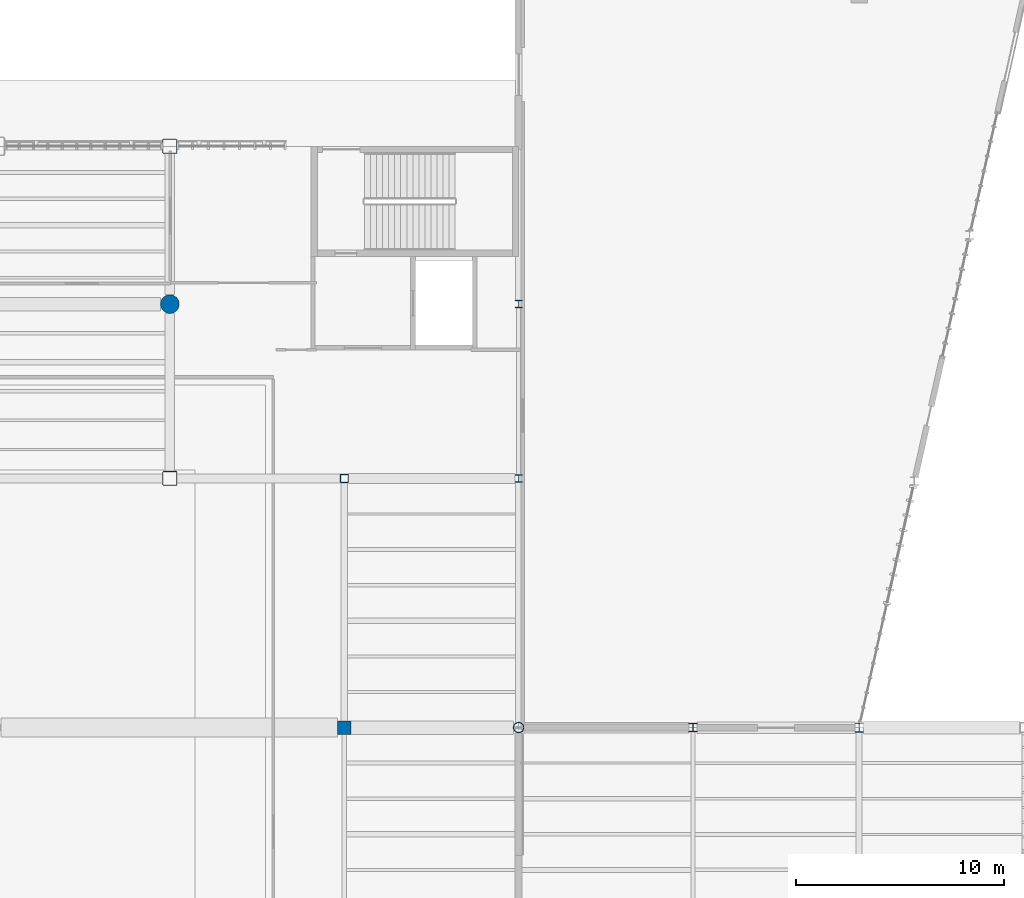
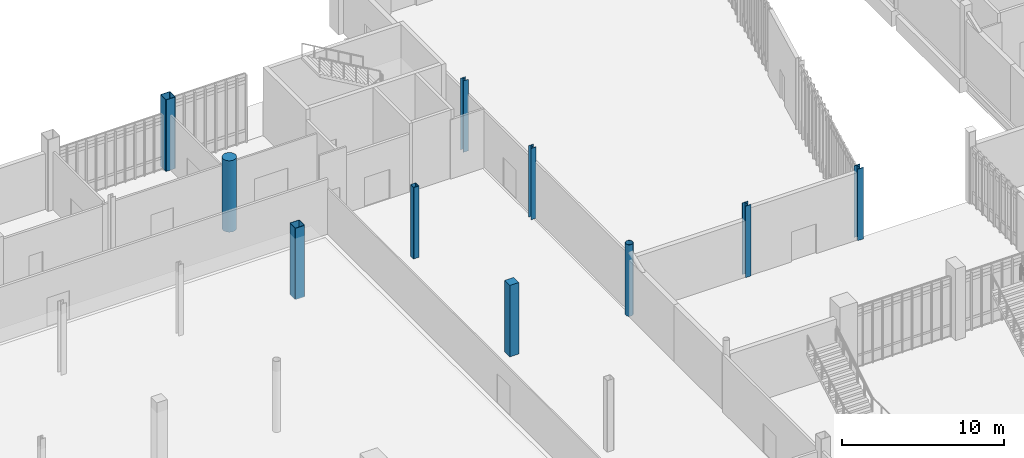
# One storey, part 9 of 111: 10 columns.
"""IFC4 building model written with IfcOpenShell, lengths in metres."""

from ifc_helpers import new_model, si_unit, direction, frame, origin, origin_2d, place, context, subcontext, project, spatial, rectangle, hollow_rectangle, circle, hollow_circle, i_section, extrude, material, material_profile, profile_set, type_object, element, save


model = new_model("IFC4")

# Units and contexts
model_context = context("Model", 3, precision=1e-05, world=origin(), true_north=direction((0.0, 1.0)))
body_context = subcontext(model_context, "Body", "Model", "MODEL_VIEW")
ifc_project = project(units=[si_unit("LENGTHUNIT", "METRE"), si_unit("AREAUNIT", "SQUARE_METRE"), si_unit("VOLUMEUNIT", "CUBIC_METRE"), si_unit("PLANEANGLEUNIT", "RADIAN"), si_unit("MASSUNIT", "GRAM", prefix="KILO")], contexts=[model_context])

# Site, building, storey
site_placement = place(None, origin())
site = spatial("IfcSite", under=ifc_project, at=site_placement, CompositionType="ELEMENT")
building_placement = place(site_placement, origin())
building = spatial("IfcBuilding", under=site, at=building_placement, Name="Larkvane Passage Sports Hall", CompositionType="ELEMENT")
storey_placement = place(building_placement, origin())
storey = spatial("IfcBuildingStorey", under=building, at=storey_placement, Name="L00", CompositionType="ELEMENT", Elevation=0.0)

# Columns
ifc_material_1 = material(Name="Concrete C50/60", Category="concrete")
ifc_material_profile_1 = material_profile(ifc_material_1, circle(Radius=0.449951171875, at=origin_2d()), Name="RC-CIR-900")
ifc_profile_set_1 = profile_set([ifc_material_profile_1], Name="Concrete C50/60")
column_type_1 = type_object("IfcColumnType", Name="COL-CIR-900", PredefinedType="COLUMN", material=ifc_profile_set_1)
column_1_placement = place(storey_placement, frame((76.800048828125, 84.0, 0.0), z_axis=(0.0, 0.0, 1.0), x_axis=(1.0, 0.0, 0.0)))
element("IfcColumn", 1, at=column_1_placement, inside=storey, type_object=column_type_1, Name="Column 11/K L00", PredefinedType="COLUMN", context=body_context, shape_type="SweptSolid", body=[
    extrude(circle(Radius=0.449951171875, at=origin_2d()), origin(), (0.0, 0.0, 1.0), 5.39990234375),
])
ifc_material_2 = material(Name="Concrete C40/50", Category="concrete")
ifc_material_profile_2 = material_profile(ifc_material_2, rectangle(XDim=0.64990234375, YDim=0.64990234375, at=origin_2d()), Name="RC-COL-650x650")
ifc_profile_set_2 = profile_set([ifc_material_profile_2], Name="Concrete C40/50")
column_type_2 = type_object("IfcColumnType", Name="COL-RC-650", PredefinedType="COLUMN", material=ifc_profile_set_2)
column_2_placement = place(storey_placement, frame((85.199951171875, 63.60009765625, 0.0), z_axis=(0.0, 0.0, 1.0), x_axis=(1.0, 0.0, 0.0)))
element("IfcColumn", 2, at=column_2_placement, inside=storey, type_object=column_type_2, Name="Column 12/H L00", PredefinedType="COLUMN", context=body_context, shape_type="SweptSolid", body=[
    extrude(rectangle(XDim=0.64990234375, YDim=0.64990234375, at=origin_2d()), origin(), (0.0, 0.0, 1.0), 5.39990234375),
])
ifc_material_3 = material(Name="Steel S460N", Category="steel")
ifc_material_profile_3 = material_profile(ifc_material_3, hollow_rectangle(XDim=0.699951171875, YDim=0.699951171875, WallThickness=0.028076171875, InnerFilletRadius=0.028076171875, OuterFilletRadius=0.055908203125, at=origin_2d()), Name="BOX-700x700x28")
ifc_profile_set_3 = profile_set([ifc_material_profile_3], Name="Steel S460N")
column_type_3 = type_object("IfcColumnType", Name="COL-STL-BOX700", PredefinedType="COLUMN", material=ifc_profile_set_3)
for number, where, z_axis, x_axis, name in (
    (3, (76.800048828125, 75.60009765625, 0.0), (0.0, 0.0, 1.0), (1.0, 0.0, 0.0), "Column 11/J L00"),
    (4, (76.800048828125, 91.60009765625, 0.0), (0.0, 0.0, 1.0), (1.0, 0.0, 0.0), "Column 11/L L00"),
):
    element("IfcColumn", number, at=place(storey_placement, frame(where, z_axis=z_axis, x_axis=x_axis)), inside=storey, type_object=column_type_3, Name=name, PredefinedType="COLUMN", context=body_context, shape_type="SweptSolid", body=[
        extrude(hollow_rectangle(XDim=0.699951171875, YDim=0.699951171875, WallThickness=0.028076171875, InnerFilletRadius=0.028076171875, OuterFilletRadius=0.055908203125, at=origin_2d()), origin(), (0.0, 0.0, 1.0), 5.39990234375),
    ])
ifc_material_profile_4 = material_profile(ifc_material_3, hollow_circle(Radius=0.25390625, WallThickness=0.01904296875, at=origin_2d()), Name="CHS-508.0x19.0")
ifc_profile_set_4 = profile_set([ifc_material_profile_4], Name="Steel S460N")
column_type_4 = type_object("IfcColumnType", Name="COL-STL-CHS508", PredefinedType="COLUMN", material=ifc_profile_set_4)
column_3_placement = place(storey_placement, frame((93.60009765625, 63.60009765625, 0.0), z_axis=(0.0, 0.0, 1.0), x_axis=(1.0, 0.0, 0.0)))
element("IfcColumn", 5, at=column_3_placement, inside=storey, type_object=column_type_4, Name="Column 13/H L00", PredefinedType="COLUMN", context=body_context, shape_type="SweptSolid", body=[
    extrude(hollow_circle(Radius=0.25390625, WallThickness=0.01904296875, at=origin_2d()), origin(), (0.0, 0.0, 1.0), 5.39990234375),
])
ifc_material_4 = material(Name="Steel S355JR", Category="steel")
ifc_material_profile_5 = material_profile(ifc_material_4, i_section(OverallWidth=0.35009765625, OverallDepth=0.35009765625, WebThickness=0.011962890625, FlangeThickness=0.01904296875, FilletRadius=0.012939453125, at=origin_2d()), Name="H-350x350x12x19")
ifc_profile_set_5 = profile_set([ifc_material_profile_5], Name="Steel S355JR")
column_type_5 = type_object("IfcColumnType", Name="COL-STL-H350", PredefinedType="COLUMN", material=ifc_profile_set_5)
for number, where, z_axis, x_axis, name in (
    (6, (93.60009765625, 75.60009765625, 0.0), (0.0, 0.0, 1.0), (1.0, 0.0, 0.0), "Column 13/J L00"),
    (7, (93.60009765625, 84.0, 0.0), (0.0, 0.0, 1.0), (1.0, 0.0, 0.0), "Column 13/K L00"),
):
    element("IfcColumn", number, at=place(storey_placement, frame(where, z_axis=z_axis, x_axis=x_axis)), inside=storey, type_object=column_type_5, Name=name, PredefinedType="COLUMN", context=body_context, shape_type="SweptSolid", body=[
        extrude(i_section(OverallWidth=0.35009765625, OverallDepth=0.35009765625, WebThickness=0.011962890625, FlangeThickness=0.01904296875, FilletRadius=0.012939453125, at=origin_2d()), origin(), (0.0, 0.0, 1.0), 5.39990234375),
    ])
ifc_material_profile_6 = material_profile(ifc_material_3, i_section(OverallWidth=0.405029296875, OverallDepth=0.4140625, WebThickness=0.01806640625, FlangeThickness=0.028076171875, FilletRadius=0.02197265625, at=origin_2d()), Name="H-414x405x18x28")
ifc_profile_set_6 = profile_set([ifc_material_profile_6], Name="Steel S460N")
column_type_6 = type_object("IfcColumnType", Name="COL-STL-H414", PredefinedType="COLUMN", material=ifc_profile_set_6)
column_4_placement = place(storey_placement, frame((102.0, 63.60009765625, 0.0), z_axis=(0.0, 0.0, 1.0), x_axis=(1.0, 0.0, 0.0)))
element("IfcColumn", 8, at=column_4_placement, inside=storey, type_object=column_type_6, Name="Column 14/H L00", PredefinedType="COLUMN", context=body_context, shape_type="SweptSolid", body=[
    extrude(i_section(OverallWidth=0.405029296875, OverallDepth=0.4140625, WebThickness=0.01806640625, FlangeThickness=0.028076171875, FilletRadius=0.02197265625, at=origin_2d()), origin(), (0.0, 0.0, 1.0), 5.39990234375),
])
ifc_material_profile_7 = material_profile(ifc_material_3, i_section(OverallWidth=0.4169921875, OverallDepth=0.4580078125, WebThickness=0.030029296875, FlangeThickness=0.0400390625, FilletRadius=0.02197265625, at=origin_2d()), Name="H-458x417x30x40")
ifc_profile_set_7 = profile_set([ifc_material_profile_7], Name="Steel S460N")
column_type_7 = type_object("IfcColumnType", Name="COL-STL-H458", PredefinedType="COLUMN", material=ifc_profile_set_7)
column_5_placement = place(storey_placement, frame((110.0, 63.60009765625, 0.0), z_axis=(0.0, 0.0, 1.0), x_axis=(1.0, 0.0, 0.0)))
element("IfcColumn", 9, at=column_5_placement, inside=storey, type_object=column_type_7, Name="Column 15/H L00", PredefinedType="COLUMN", context=body_context, shape_type="SweptSolid", body=[
    extrude(i_section(OverallWidth=0.4169921875, OverallDepth=0.4580078125, WebThickness=0.030029296875, FlangeThickness=0.0400390625, FilletRadius=0.02197265625, at=origin_2d()), origin(), (0.0, 0.0, 1.0), 5.39990234375),
])
ifc_material_profile_8 = material_profile(ifc_material_3, hollow_rectangle(XDim=0.39990234375, YDim=0.39990234375, WallThickness=0.01904296875, InnerFilletRadius=0.01904296875, OuterFilletRadius=0.0380859375, at=origin_2d()), Name="SHS-400x400x19")
ifc_profile_set_8 = profile_set([ifc_material_profile_8], Name="Steel S460N")
column_type_8 = type_object("IfcColumnType", Name="COL-STL-SHS400", PredefinedType="COLUMN", material=ifc_profile_set_8)
column_6_placement = place(storey_placement, frame((85.199951171875, 75.60009765625, 0.0), z_axis=(0.0, 0.0, 1.0), x_axis=(1.0, 0.0, 0.0)))
element("IfcColumn", 10, at=column_6_placement, inside=storey, type_object=column_type_8, Name="Column 12/J L00", PredefinedType="COLUMN", context=body_context, shape_type="SweptSolid", body=[
    extrude(hollow_rectangle(XDim=0.39990234375, YDim=0.39990234375, WallThickness=0.01904296875, InnerFilletRadius=0.01904296875, OuterFilletRadius=0.0380859375, at=origin_2d()), origin(), (0.0, 0.0, 1.0), 5.39990234375),
])

save(model, "model.ifc")
